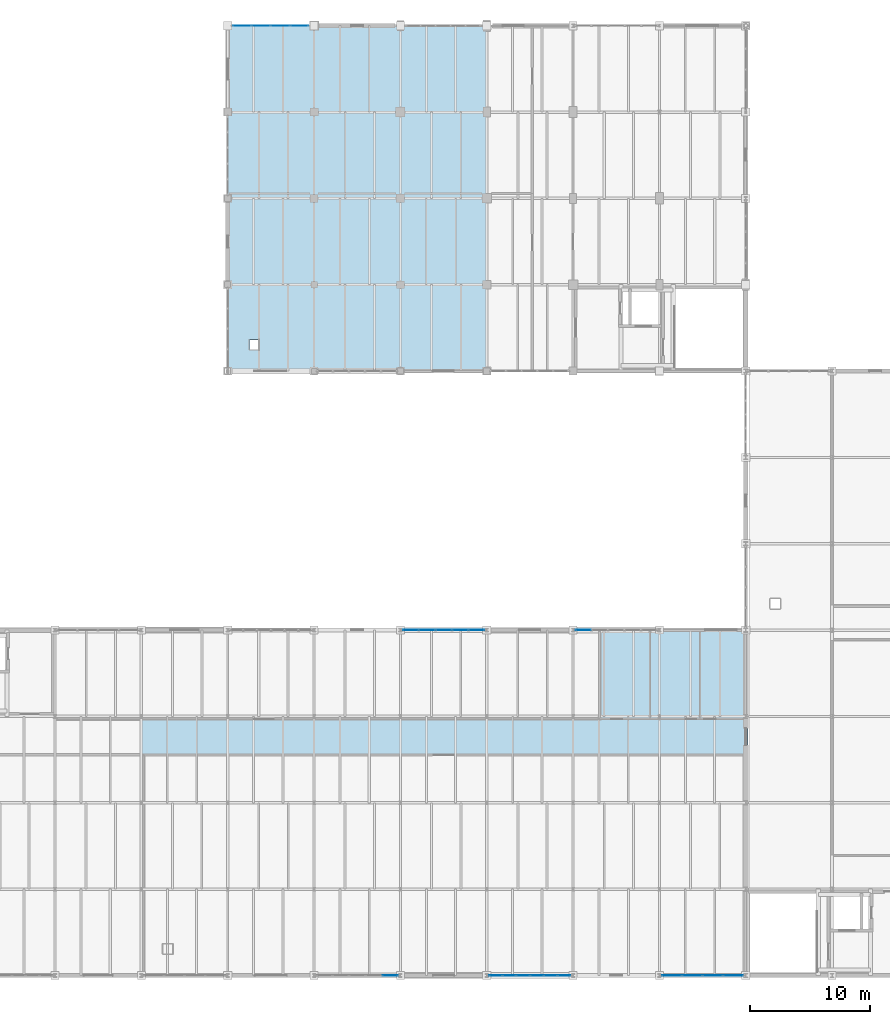
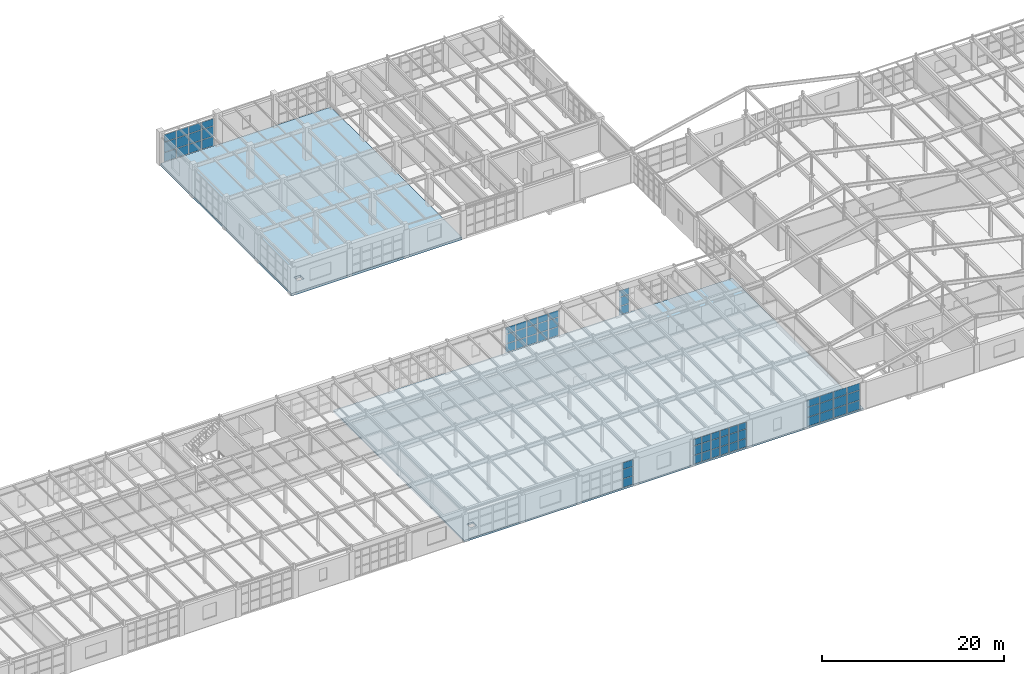
# One storey, part 116 of 137: 63 plates, 2 slabs, 6 elements without a shape of their own.
"""IFC4 building model written with IfcOpenShell, lengths in metres."""

from ifc_helpers import new_model, si_unit, direction, frame, origin, origin_2d, place, context, subcontext, project, spatial, polyline, rectangle, outline, extrude, material, layer, layer_set, type_object, element, aggregate, save


model = new_model("IFC4")

# Units and contexts
model_context = context("Model", 3, precision=1e-05, world=origin(), true_north=direction((0.0, 1.0)))
body_context = subcontext(model_context, "Body", "Model", "MODEL_VIEW")
ifc_project = project(units=[si_unit("LENGTHUNIT", "METRE"), si_unit("AREAUNIT", "SQUARE_METRE"), si_unit("VOLUMEUNIT", "CUBIC_METRE"), si_unit("PLANEANGLEUNIT", "RADIAN"), si_unit("MASSUNIT", "GRAM", prefix="KILO")], contexts=[model_context])

# Site, building, storey
site_placement = place(None, origin())
site = spatial("IfcSite", under=ifc_project, at=site_placement, CompositionType="ELEMENT")
building_placement = place(site_placement, origin())
building = spatial("IfcBuilding", under=site, at=building_placement, Name="Kemerveld Promenade Tramway Depot", CompositionType="ELEMENT")
storey_placement = place(building_placement, frame((0.0, 0.0, 5.39990234375)))
storey = spatial("IfcBuildingStorey", under=building, at=storey_placement, Name="L01", CompositionType="ELEMENT", Elevation=5.39990234375)

# Curtain wall, plates
ifc_material_1 = material(Name="Bronze anodised aluminium and solar glass", Category="aluminium")
ifc_layer_1 = layer(ifc_material_1, 0.199951171875)
ifc_layer_set_1 = layer_set([ifc_layer_1], Name="CW-SYS-04")
curtain_wall_type_1 = type_object("IfcCurtainWallType", Name="CW-SYS-04", PredefinedType="USERDEFINED", material=ifc_layer_set_1)
curtain_wall_1_placement = place(storey_placement, origin())
curtain_wall_1 = element("IfcCurtainWall", 1, at=curtain_wall_1_placement, inside=storey, type_object=curtain_wall_type_1, Name="CW-L01-V4S-01", ObjectType="GLAZED_CURTAIN_WALL", PredefinedType="USERDEFINED")
ifc_material_2 = material(Name="Solar-control laminated double glazing", Category="glass")
ifc_layer_2 = layer(ifc_material_2, 0.031982421875)
ifc_layer_set_2 = layer_set([ifc_layer_2], Name="CW-PNL-04")
plate_type_1 = type_object("IfcPlateType", Name="CW-PNL-04", PredefinedType="CURTAIN_PANEL", material=ifc_layer_set_2)
plate_1_placement = place(storey_placement, frame((157.344970703125, 0.0, 0.06494140625), z_axis=(0.0, 0.0, 1.0), x_axis=(-1.0, 0.0, 0.0)))
plate_1 = element("IfcPlate", 2, at=plate_1_placement, type_object=plate_type_1, Name="CW04 panel 1.1", PredefinedType="CURTAIN_PANEL", context=body_context, shape_type="SweptSolid", body=[
    extrude(rectangle(XDim=1.605712890625, YDim=0.031982421875, at=origin_2d()), origin(), (0.0, 0.0, 1.0), 1.176513671875),
])
plate_2_placement = place(storey_placement, frame((157.344970703125, 0.0, 1.306640625), z_axis=(0.0, 0.0, 1.0), x_axis=(-1.0, 0.0, 0.0)))
plate_2 = element("IfcPlate", 3, at=plate_2_placement, type_object=plate_type_1, Name="CW04 panel 1.2", PredefinedType="CURTAIN_PANEL", context=body_context, shape_type="SweptSolid", body=[
    extrude(rectangle(XDim=1.605712890625, YDim=0.031982421875, at=origin_2d()), origin(), (0.0, 0.0, 1.0), 1.281982421875),
])
plate_3_placement = place(storey_placement, frame((157.344970703125, 0.0, 2.653564453125), z_axis=(0.0, 0.0, 1.0), x_axis=(-1.0, 0.0, 0.0)))
plate_3 = element("IfcPlate", 4, at=plate_3_placement, type_object=plate_type_1, Name="CW04 panel 1.3", PredefinedType="CURTAIN_PANEL", context=body_context, shape_type="SweptSolid", body=[
    extrude(rectangle(XDim=1.605712890625, YDim=0.031982421875, at=origin_2d()), origin(), (0.0, 0.0, 1.0), 0.92138671875),
])
plate_4_placement = place(storey_placement, frame((155.6455078125, 0.0, 0.06494140625), z_axis=(0.0, 0.0, 1.0), x_axis=(-1.0, 0.0, 0.0)))
plate_4 = element("IfcPlate", 5, at=plate_4_placement, type_object=plate_type_1, Name="CW04 panel 2.1", PredefinedType="CURTAIN_PANEL", context=body_context, shape_type="SweptSolid", body=[
    extrude(rectangle(XDim=1.64306640625, YDim=0.031982421875, at=origin_2d()), origin(), (0.0, 0.0, 1.0), 1.176513671875),
])
plate_5_placement = place(storey_placement, frame((155.6455078125, 0.0, 1.306640625), z_axis=(0.0, 0.0, 1.0), x_axis=(-1.0, 0.0, 0.0)))
plate_5 = element("IfcPlate", 6, at=plate_5_placement, type_object=plate_type_1, Name="CW04 panel 2.2", PredefinedType="CURTAIN_PANEL", context=body_context, shape_type="SweptSolid", body=[
    extrude(rectangle(XDim=1.64306640625, YDim=0.031982421875, at=origin_2d()), origin(), (0.0, 0.0, 1.0), 1.281982421875),
])
plate_6_placement = place(storey_placement, frame((155.6455078125, 0.0, 2.653564453125), z_axis=(0.0, 0.0, 1.0), x_axis=(-1.0, 0.0, 0.0)))
plate_6 = element("IfcPlate", 7, at=plate_6_placement, type_object=plate_type_1, Name="CW04 panel 2.3", PredefinedType="CURTAIN_PANEL", context=body_context, shape_type="SweptSolid", body=[
    extrude(rectangle(XDim=1.64306640625, YDim=0.031982421875, at=origin_2d()), origin(), (0.0, 0.0, 1.0), 0.92138671875),
])
plate_7_placement = place(storey_placement, frame((153.92724609375, 0.0, 0.06494140625), z_axis=(0.0, 0.0, 1.0), x_axis=(-1.0, 0.0, 0.0)))
plate_7 = element("IfcPlate", 8, at=plate_7_placement, type_object=plate_type_1, Name="CW04 panel 3.1", PredefinedType="CURTAIN_PANEL", context=body_context, shape_type="SweptSolid", body=[
    extrude(rectangle(XDim=1.64306640625, YDim=0.031982421875, at=origin_2d()), origin(), (0.0, 0.0, 1.0), 1.176513671875),
])
plate_8_placement = place(storey_placement, frame((153.92724609375, 0.0, 1.306640625), z_axis=(0.0, 0.0, 1.0), x_axis=(-1.0, 0.0, 0.0)))
plate_8 = element("IfcPlate", 9, at=plate_8_placement, type_object=plate_type_1, Name="CW04 panel 3.2", PredefinedType="CURTAIN_PANEL", context=body_context, shape_type="SweptSolid", body=[
    extrude(rectangle(XDim=1.64306640625, YDim=0.031982421875, at=origin_2d()), origin(), (0.0, 0.0, 1.0), 1.281982421875),
])
plate_9_placement = place(storey_placement, frame((153.92724609375, 0.0, 2.653564453125), z_axis=(0.0, 0.0, 1.0), x_axis=(-1.0, 0.0, 0.0)))
plate_9 = element("IfcPlate", 10, at=plate_9_placement, type_object=plate_type_1, Name="CW04 panel 3.3", PredefinedType="CURTAIN_PANEL", context=body_context, shape_type="SweptSolid", body=[
    extrude(rectangle(XDim=1.64306640625, YDim=0.031982421875, at=origin_2d()), origin(), (0.0, 0.0, 1.0), 0.92138671875),
])
plate_10_placement = place(storey_placement, frame((152.22802734375, 0.0, 0.06494140625), z_axis=(0.0, 0.0, 1.0), x_axis=(-1.0, 0.0, 0.0)))
plate_10 = element("IfcPlate", 11, at=plate_10_placement, type_object=plate_type_1, Name="CW04 panel 4.1", PredefinedType="CURTAIN_PANEL", context=body_context, shape_type="SweptSolid", body=[
    extrude(rectangle(XDim=1.605712890625, YDim=0.031982421875, at=origin_2d()), origin(), (0.0, 0.0, 1.0), 1.176513671875),
])
plate_11_placement = place(storey_placement, frame((152.22802734375, 0.0, 1.306640625), z_axis=(0.0, 0.0, 1.0), x_axis=(-1.0, 0.0, 0.0)))
plate_11 = element("IfcPlate", 12, at=plate_11_placement, type_object=plate_type_1, Name="CW04 panel 4.2", PredefinedType="CURTAIN_PANEL", context=body_context, shape_type="SweptSolid", body=[
    extrude(rectangle(XDim=1.605712890625, YDim=0.031982421875, at=origin_2d()), origin(), (0.0, 0.0, 1.0), 1.281982421875),
])
plate_12_placement = place(storey_placement, frame((152.22802734375, 0.0, 2.653564453125), z_axis=(0.0, 0.0, 1.0), x_axis=(-1.0, 0.0, 0.0)))
plate_12 = element("IfcPlate", 13, at=plate_12_placement, type_object=plate_type_1, Name="CW04 panel 4.3", PredefinedType="CURTAIN_PANEL", context=body_context, shape_type="SweptSolid", body=[
    extrude(rectangle(XDim=1.605712890625, YDim=0.031982421875, at=origin_2d()), origin(), (0.0, 0.0, 1.0), 0.92138671875),
])
aggregate(curtain_wall_1, [plate_1, plate_2, plate_3, plate_4, plate_5, plate_6, plate_7, plate_8, plate_9, plate_10, plate_11, plate_12])

curtain_wall_2_placement = place(storey_placement, origin())
curtain_wall_2 = element("IfcCurtainWall", 14, at=curtain_wall_2_placement, inside=storey, type_object=curtain_wall_type_1, Name="CW-L01-V3N-01", ObjectType="GLAZED_CURTAIN_WALL", PredefinedType="USERDEFINED")
plate_13_placement = place(storey_placement, frame((116.389892578125, 79.199951171875, 0.06494140625), z_axis=(0.0, 0.0, 1.0), x_axis=(1.0, 0.0, 0.0)))
plate_13 = element("IfcPlate", 15, at=plate_13_placement, type_object=plate_type_1, Name="CW04 panel 1.1", PredefinedType="CURTAIN_PANEL", context=body_context, shape_type="SweptSolid", body=[
    extrude(rectangle(XDim=1.489990234375, YDim=0.031982421875, at=origin_2d()), origin(), (0.0, 0.0, 1.0), 1.215576171875),
])
plate_14_placement = place(storey_placement, frame((116.389892578125, 79.199951171875, 1.345703125), z_axis=(0.0, 0.0, 1.0), x_axis=(1.0, 0.0, 0.0)))
plate_14 = element("IfcPlate", 16, at=plate_14_placement, type_object=plate_type_1, Name="CW04 panel 1.2", PredefinedType="CURTAIN_PANEL", context=body_context, shape_type="SweptSolid", body=[
    extrude(rectangle(XDim=1.489990234375, YDim=0.031982421875, at=origin_2d()), origin(), (0.0, 0.0, 1.0), 1.322021484375),
])
plate_15_placement = place(storey_placement, frame((116.389892578125, 79.199951171875, 2.732421875), z_axis=(0.0, 0.0, 1.0), x_axis=(1.0, 0.0, 0.0)))
plate_15 = element("IfcPlate", 17, at=plate_15_placement, type_object=plate_type_1, Name="CW04 panel 1.3", PredefinedType="CURTAIN_PANEL", context=body_context, shape_type="SweptSolid", body=[
    extrude(rectangle(XDim=1.489990234375, YDim=0.031982421875, at=origin_2d()), origin(), (0.0, 0.0, 1.0), 0.952392578125),
])
plate_16_placement = place(storey_placement, frame((117.9736328125, 79.199951171875, 0.06494140625), z_axis=(0.0, 0.0, 1.0), x_axis=(1.0, 0.0, 0.0)))
plate_16 = element("IfcPlate", 18, at=plate_16_placement, type_object=plate_type_1, Name="CW04 panel 2.1", PredefinedType="CURTAIN_PANEL", context=body_context, shape_type="SweptSolid", body=[
    extrude(rectangle(XDim=1.527587890625, YDim=0.031982421875, at=origin_2d()), origin(), (0.0, 0.0, 1.0), 1.215576171875),
])
plate_17_placement = place(storey_placement, frame((117.9736328125, 79.199951171875, 1.345703125), z_axis=(0.0, 0.0, 1.0), x_axis=(1.0, 0.0, 0.0)))
plate_17 = element("IfcPlate", 19, at=plate_17_placement, type_object=plate_type_1, Name="CW04 panel 2.2", PredefinedType="CURTAIN_PANEL", context=body_context, shape_type="SweptSolid", body=[
    extrude(rectangle(XDim=1.527587890625, YDim=0.031982421875, at=origin_2d()), origin(), (0.0, 0.0, 1.0), 1.322021484375),
])
plate_18_placement = place(storey_placement, frame((117.9736328125, 79.199951171875, 2.732421875), z_axis=(0.0, 0.0, 1.0), x_axis=(1.0, 0.0, 0.0)))
plate_18 = element("IfcPlate", 20, at=plate_18_placement, type_object=plate_type_1, Name="CW04 panel 2.3", PredefinedType="CURTAIN_PANEL", context=body_context, shape_type="SweptSolid", body=[
    extrude(rectangle(XDim=1.527587890625, YDim=0.031982421875, at=origin_2d()), origin(), (0.0, 0.0, 1.0), 0.952392578125),
])
plate_19_placement = place(storey_placement, frame((119.576171875, 79.199951171875, 0.06494140625), z_axis=(0.0, 0.0, 1.0), x_axis=(1.0, 0.0, 0.0)))
plate_19 = element("IfcPlate", 21, at=plate_19_placement, type_object=plate_type_1, Name="CW04 panel 3.1", PredefinedType="CURTAIN_PANEL", context=body_context, shape_type="SweptSolid", body=[
    extrude(rectangle(XDim=1.527587890625, YDim=0.031982421875, at=origin_2d()), origin(), (0.0, 0.0, 1.0), 1.215576171875),
])
plate_20_placement = place(storey_placement, frame((119.576171875, 79.199951171875, 1.345703125), z_axis=(0.0, 0.0, 1.0), x_axis=(1.0, 0.0, 0.0)))
plate_20 = element("IfcPlate", 22, at=plate_20_placement, type_object=plate_type_1, Name="CW04 panel 3.2", PredefinedType="CURTAIN_PANEL", context=body_context, shape_type="SweptSolid", body=[
    extrude(rectangle(XDim=1.527587890625, YDim=0.031982421875, at=origin_2d()), origin(), (0.0, 0.0, 1.0), 1.322021484375),
])
plate_21_placement = place(storey_placement, frame((119.576171875, 79.199951171875, 2.732421875), z_axis=(0.0, 0.0, 1.0), x_axis=(1.0, 0.0, 0.0)))
plate_21 = element("IfcPlate", 23, at=plate_21_placement, type_object=plate_type_1, Name="CW04 panel 3.3", PredefinedType="CURTAIN_PANEL", context=body_context, shape_type="SweptSolid", body=[
    extrude(rectangle(XDim=1.527587890625, YDim=0.031982421875, at=origin_2d()), origin(), (0.0, 0.0, 1.0), 0.952392578125),
])
plate_22_placement = place(storey_placement, frame((121.159912109375, 79.199951171875, 0.06494140625), z_axis=(0.0, 0.0, 1.0), x_axis=(1.0, 0.0, 0.0)))
plate_22 = element("IfcPlate", 24, at=plate_22_placement, type_object=plate_type_1, Name="CW04 panel 4.1", PredefinedType="CURTAIN_PANEL", context=body_context, shape_type="SweptSolid", body=[
    extrude(rectangle(XDim=1.489990234375, YDim=0.031982421875, at=origin_2d()), origin(), (0.0, 0.0, 1.0), 1.215576171875),
])
plate_23_placement = place(storey_placement, frame((121.159912109375, 79.199951171875, 1.345703125), z_axis=(0.0, 0.0, 1.0), x_axis=(1.0, 0.0, 0.0)))
plate_23 = element("IfcPlate", 25, at=plate_23_placement, type_object=plate_type_1, Name="CW04 panel 4.2", PredefinedType="CURTAIN_PANEL", context=body_context, shape_type="SweptSolid", body=[
    extrude(rectangle(XDim=1.489990234375, YDim=0.031982421875, at=origin_2d()), origin(), (0.0, 0.0, 1.0), 1.322021484375),
])
plate_24_placement = place(storey_placement, frame((121.159912109375, 79.199951171875, 2.732421875), z_axis=(0.0, 0.0, 1.0), x_axis=(1.0, 0.0, 0.0)))
plate_24 = element("IfcPlate", 26, at=plate_24_placement, type_object=plate_type_1, Name="CW04 panel 4.3", PredefinedType="CURTAIN_PANEL", context=body_context, shape_type="SweptSolid", body=[
    extrude(rectangle(XDim=1.489990234375, YDim=0.031982421875, at=origin_2d()), origin(), (0.0, 0.0, 1.0), 0.952392578125),
])
aggregate(curtain_wall_2, [plate_13, plate_14, plate_15, plate_16, plate_17, plate_18, plate_19, plate_20, plate_21, plate_22, plate_23, plate_24])

ifc_layer_3 = layer(ifc_material_1, 0.199951171875)
ifc_layer_set_3 = layer_set([ifc_layer_3], Name="CW-SYS-06")
curtain_wall_type_2 = type_object("IfcCurtainWallType", Name="CW-SYS-06", PredefinedType="USERDEFINED", material=ifc_layer_set_3)
curtain_wall_3_placement = place(storey_placement, origin())
curtain_wall_3 = element("IfcCurtainWall", 27, at=curtain_wall_3_placement, inside=storey, type_object=curtain_wall_type_2, Name="CW-L01-V4S-03", ObjectType="GLAZED_CURTAIN_WALL", PredefinedType="USERDEFINED")
ifc_layer_4 = layer(ifc_material_2, 0.02587890625)
ifc_layer_set_4 = layer_set([ifc_layer_4], Name="CW-PNL-06")
plate_type_2 = type_object("IfcPlateType", Name="CW-PNL-06", PredefinedType="CURTAIN_PANEL", material=ifc_layer_set_4)
plate_25_placement = place(storey_placement, frame((143.256103515625, 0.0, 0.065185546875), z_axis=(0.0, 0.0, 1.0), x_axis=(-1.0, 0.0, 0.0)))
plate_25 = element("IfcPlate", 28, at=plate_25_placement, type_object=plate_type_2, Name="CW06 panel 1.1", PredefinedType="CURTAIN_PANEL", context=body_context, shape_type="SweptSolid", body=[
    extrude(rectangle(XDim=1.037353515625, YDim=0.02587890625, at=origin_2d()), origin(), (0.0, 0.0, 1.0), 1.1064453125),
])
plate_26_placement = place(storey_placement, frame((143.256103515625, 0.0, 1.236572265625), z_axis=(0.0, 0.0, 1.0), x_axis=(-1.0, 0.0, 0.0)))
plate_26 = element("IfcPlate", 29, at=plate_26_placement, type_object=plate_type_2, Name="CW06 panel 1.2", PredefinedType="CURTAIN_PANEL", context=body_context, shape_type="SweptSolid", body=[
    extrude(rectangle(XDim=1.037353515625, YDim=0.02587890625, at=origin_2d()), origin(), (0.0, 0.0, 1.0), 1.2080078125),
])
plate_27_placement = place(storey_placement, frame((143.256103515625, 0.0, 2.509765625), z_axis=(0.0, 0.0, 1.0), x_axis=(-1.0, 0.0, 0.0)))
plate_27 = element("IfcPlate", 30, at=plate_27_placement, type_object=plate_type_2, Name="CW06 panel 1.3", PredefinedType="CURTAIN_PANEL", context=body_context, shape_type="SweptSolid", body=[
    extrude(rectangle(XDim=1.037353515625, YDim=0.02587890625, at=origin_2d()), origin(), (0.0, 0.0, 1.0), 0.865478515625),
])
plate_28_placement = place(storey_placement, frame((142.125, 0.0, 0.065185546875), z_axis=(0.0, 0.0, 1.0), x_axis=(-1.0, 0.0, 0.0)))
plate_28 = element("IfcPlate", 31, at=plate_28_placement, type_object=plate_type_2, Name="CW06 panel 2.1", PredefinedType="CURTAIN_PANEL", context=body_context, shape_type="SweptSolid", body=[
    extrude(rectangle(XDim=1.074951171875, YDim=0.02587890625, at=origin_2d()), origin(), (0.0, 0.0, 1.0), 1.1064453125),
])
plate_29_placement = place(storey_placement, frame((142.125, 0.0, 1.236572265625), z_axis=(0.0, 0.0, 1.0), x_axis=(-1.0, 0.0, 0.0)))
plate_29 = element("IfcPlate", 32, at=plate_29_placement, type_object=plate_type_2, Name="CW06 panel 2.2", PredefinedType="CURTAIN_PANEL", context=body_context, shape_type="SweptSolid", body=[
    extrude(rectangle(XDim=1.074951171875, YDim=0.02587890625, at=origin_2d()), origin(), (0.0, 0.0, 1.0), 1.2080078125),
])
plate_30_placement = place(storey_placement, frame((142.125, 0.0, 2.509765625), z_axis=(0.0, 0.0, 1.0), x_axis=(-1.0, 0.0, 0.0)))
plate_30 = element("IfcPlate", 33, at=plate_30_placement, type_object=plate_type_2, Name="CW06 panel 2.3", PredefinedType="CURTAIN_PANEL", context=body_context, shape_type="SweptSolid", body=[
    extrude(rectangle(XDim=1.074951171875, YDim=0.02587890625, at=origin_2d()), origin(), (0.0, 0.0, 1.0), 0.865478515625),
])
plate_31_placement = place(storey_placement, frame((140.97509765625, 0.0, 0.065185546875), z_axis=(0.0, 0.0, 1.0), x_axis=(-1.0, 0.0, 0.0)))
plate_31 = element("IfcPlate", 34, at=plate_31_placement, type_object=plate_type_2, Name="CW06 panel 3.1", PredefinedType="CURTAIN_PANEL", context=body_context, shape_type="SweptSolid", body=[
    extrude(rectangle(XDim=1.074951171875, YDim=0.02587890625, at=origin_2d()), origin(), (0.0, 0.0, 1.0), 1.1064453125),
])
plate_32_placement = place(storey_placement, frame((140.97509765625, 0.0, 1.236572265625), z_axis=(0.0, 0.0, 1.0), x_axis=(-1.0, 0.0, 0.0)))
plate_32 = element("IfcPlate", 35, at=plate_32_placement, type_object=plate_type_2, Name="CW06 panel 3.2", PredefinedType="CURTAIN_PANEL", context=body_context, shape_type="SweptSolid", body=[
    extrude(rectangle(XDim=1.074951171875, YDim=0.02587890625, at=origin_2d()), origin(), (0.0, 0.0, 1.0), 1.2080078125),
])
plate_33_placement = place(storey_placement, frame((140.97509765625, 0.0, 2.509765625), z_axis=(0.0, 0.0, 1.0), x_axis=(-1.0, 0.0, 0.0)))
plate_33 = element("IfcPlate", 36, at=plate_33_placement, type_object=plate_type_2, Name="CW06 panel 3.3", PredefinedType="CURTAIN_PANEL", context=body_context, shape_type="SweptSolid", body=[
    extrude(rectangle(XDim=1.074951171875, YDim=0.02587890625, at=origin_2d()), origin(), (0.0, 0.0, 1.0), 0.865478515625),
])
plate_34_placement = place(storey_placement, frame((139.8251953125, 0.0, 0.065185546875), z_axis=(0.0, 0.0, 1.0), x_axis=(-1.0, 0.0, 0.0)))
plate_34 = element("IfcPlate", 37, at=plate_34_placement, type_object=plate_type_2, Name="CW06 panel 4.1", PredefinedType="CURTAIN_PANEL", context=body_context, shape_type="SweptSolid", body=[
    extrude(rectangle(XDim=1.074951171875, YDim=0.02587890625, at=origin_2d()), origin(), (0.0, 0.0, 1.0), 1.1064453125),
])
plate_35_placement = place(storey_placement, frame((139.8251953125, 0.0, 1.236572265625), z_axis=(0.0, 0.0, 1.0), x_axis=(-1.0, 0.0, 0.0)))
plate_35 = element("IfcPlate", 38, at=plate_35_placement, type_object=plate_type_2, Name="CW06 panel 4.2", PredefinedType="CURTAIN_PANEL", context=body_context, shape_type="SweptSolid", body=[
    extrude(rectangle(XDim=1.074951171875, YDim=0.02587890625, at=origin_2d()), origin(), (0.0, 0.0, 1.0), 1.2080078125),
])
plate_36_placement = place(storey_placement, frame((139.8251953125, 0.0, 2.509765625), z_axis=(0.0, 0.0, 1.0), x_axis=(-1.0, 0.0, 0.0)))
plate_36 = element("IfcPlate", 39, at=plate_36_placement, type_object=plate_type_2, Name="CW06 panel 4.3", PredefinedType="CURTAIN_PANEL", context=body_context, shape_type="SweptSolid", body=[
    extrude(rectangle(XDim=1.074951171875, YDim=0.02587890625, at=origin_2d()), origin(), (0.0, 0.0, 1.0), 0.865478515625),
])
plate_37_placement = place(storey_placement, frame((138.675048828125, 0.0, 0.065185546875), z_axis=(0.0, 0.0, 1.0), x_axis=(-1.0, 0.0, 0.0)))
plate_37 = element("IfcPlate", 40, at=plate_37_placement, type_object=plate_type_2, Name="CW06 panel 5.1", PredefinedType="CURTAIN_PANEL", context=body_context, shape_type="SweptSolid", body=[
    extrude(rectangle(XDim=1.074951171875, YDim=0.02587890625, at=origin_2d()), origin(), (0.0, 0.0, 1.0), 1.1064453125),
])
plate_38_placement = place(storey_placement, frame((138.675048828125, 0.0, 1.236572265625), z_axis=(0.0, 0.0, 1.0), x_axis=(-1.0, 0.0, 0.0)))
plate_38 = element("IfcPlate", 41, at=plate_38_placement, type_object=plate_type_2, Name="CW06 panel 5.2", PredefinedType="CURTAIN_PANEL", context=body_context, shape_type="SweptSolid", body=[
    extrude(rectangle(XDim=1.074951171875, YDim=0.02587890625, at=origin_2d()), origin(), (0.0, 0.0, 1.0), 1.2080078125),
])
plate_39_placement = place(storey_placement, frame((138.675048828125, 0.0, 2.509765625), z_axis=(0.0, 0.0, 1.0), x_axis=(-1.0, 0.0, 0.0)))
plate_39 = element("IfcPlate", 42, at=plate_39_placement, type_object=plate_type_2, Name="CW06 panel 5.3", PredefinedType="CURTAIN_PANEL", context=body_context, shape_type="SweptSolid", body=[
    extrude(rectangle(XDim=1.074951171875, YDim=0.02587890625, at=origin_2d()), origin(), (0.0, 0.0, 1.0), 0.865478515625),
])
plate_40_placement = place(storey_placement, frame((137.5439453125, 0.0, 0.065185546875), z_axis=(0.0, 0.0, 1.0), x_axis=(-1.0, 0.0, 0.0)))
plate_40 = element("IfcPlate", 43, at=plate_40_placement, type_object=plate_type_2, Name="CW06 panel 6.1", PredefinedType="CURTAIN_PANEL", context=body_context, shape_type="SweptSolid", body=[
    extrude(rectangle(XDim=1.037353515625, YDim=0.02587890625, at=origin_2d()), origin(), (0.0, 0.0, 1.0), 1.1064453125),
])
plate_41_placement = place(storey_placement, frame((137.5439453125, 0.0, 1.236572265625), z_axis=(0.0, 0.0, 1.0), x_axis=(-1.0, 0.0, 0.0)))
plate_41 = element("IfcPlate", 44, at=plate_41_placement, type_object=plate_type_2, Name="CW06 panel 6.2", PredefinedType="CURTAIN_PANEL", context=body_context, shape_type="SweptSolid", body=[
    extrude(rectangle(XDim=1.037353515625, YDim=0.02587890625, at=origin_2d()), origin(), (0.0, 0.0, 1.0), 1.2080078125),
])
plate_42_placement = place(storey_placement, frame((137.5439453125, 0.0, 2.509765625), z_axis=(0.0, 0.0, 1.0), x_axis=(-1.0, 0.0, 0.0)))
plate_42 = element("IfcPlate", 45, at=plate_42_placement, type_object=plate_type_2, Name="CW06 panel 6.3", PredefinedType="CURTAIN_PANEL", context=body_context, shape_type="SweptSolid", body=[
    extrude(rectangle(XDim=1.037353515625, YDim=0.02587890625, at=origin_2d()), origin(), (0.0, 0.0, 1.0), 0.865478515625),
])
aggregate(curtain_wall_3, [plate_25, plate_26, plate_27, plate_28, plate_29, plate_30, plate_31, plate_32, plate_33, plate_34, plate_35, plate_36, plate_37, plate_38, plate_39, plate_40, plate_41, plate_42])

ifc_layer_5 = layer(ifc_material_1, 0.199951171875)
ifc_layer_set_5 = layer_set([ifc_layer_5], Name="CW-SYS-14")
curtain_wall_type_3 = type_object("IfcCurtainWallType", Name="CW-SYS-14", PredefinedType="USERDEFINED", material=ifc_layer_set_5)
curtain_wall_4_placement = place(storey_placement, origin())
curtain_wall_4 = element("IfcCurtainWall", 46, at=curtain_wall_4_placement, inside=storey, type_object=curtain_wall_type_3, Name="CW-L01-V4N-11", ObjectType="GLAZED_CURTAIN_WALL", PredefinedType="USERDEFINED")
plate_43_placement = place(storey_placement, frame((130.458740234375, 28.800048828125, 0.065185546875), z_axis=(0.0, 0.0, 1.0), x_axis=(1.0, 0.0, 0.0)))
plate_43 = element("IfcPlate", 47, at=plate_43_placement, type_object=plate_type_2, Name="CW14 panel 1.1", PredefinedType="CURTAIN_PANEL", context=body_context, shape_type="SweptSolid", body=[
    extrude(rectangle(XDim=1.267578125, YDim=0.02587890625, at=origin_2d()), origin(), (0.0, 0.0, 1.0), 1.12451171875),
])
plate_44_placement = place(storey_placement, frame((130.458740234375, 28.800048828125, 1.254638671875), z_axis=(0.0, 0.0, 1.0), x_axis=(1.0, 0.0, 0.0)))
plate_44 = element("IfcPlate", 48, at=plate_44_placement, type_object=plate_type_2, Name="CW14 panel 1.2", PredefinedType="CURTAIN_PANEL", context=body_context, shape_type="SweptSolid", body=[
    extrude(rectangle(XDim=1.267578125, YDim=0.02587890625, at=origin_2d()), origin(), (0.0, 0.0, 1.0), 1.22607421875),
])
plate_45_placement = place(storey_placement, frame((130.458740234375, 28.800048828125, 2.545654296875), z_axis=(0.0, 0.0, 1.0), x_axis=(1.0, 0.0, 0.0)))
plate_45 = element("IfcPlate", 49, at=plate_45_placement, type_object=plate_type_2, Name="CW14 panel 1.3", PredefinedType="CURTAIN_PANEL", context=body_context, shape_type="SweptSolid", body=[
    extrude(rectangle(XDim=1.267578125, YDim=0.02587890625, at=origin_2d()), origin(), (0.0, 0.0, 1.0), 0.87939453125),
])
plate_46_placement = place(storey_placement, frame((131.820068359375, 28.800048828125, 0.065185546875), z_axis=(0.0, 0.0, 1.0), x_axis=(1.0, 0.0, 0.0)))
plate_46 = element("IfcPlate", 50, at=plate_46_placement, type_object=plate_type_2, Name="CW14 panel 2.1", PredefinedType="CURTAIN_PANEL", context=body_context, shape_type="SweptSolid", body=[
    extrude(rectangle(XDim=1.304931640625, YDim=0.02587890625, at=origin_2d()), origin(), (0.0, 0.0, 1.0), 1.12451171875),
])
plate_47_placement = place(storey_placement, frame((131.820068359375, 28.800048828125, 1.254638671875), z_axis=(0.0, 0.0, 1.0), x_axis=(1.0, 0.0, 0.0)))
plate_47 = element("IfcPlate", 51, at=plate_47_placement, type_object=plate_type_2, Name="CW14 panel 2.2", PredefinedType="CURTAIN_PANEL", context=body_context, shape_type="SweptSolid", body=[
    extrude(rectangle(XDim=1.304931640625, YDim=0.02587890625, at=origin_2d()), origin(), (0.0, 0.0, 1.0), 1.22607421875),
])
plate_48_placement = place(storey_placement, frame((131.820068359375, 28.800048828125, 2.545654296875), z_axis=(0.0, 0.0, 1.0), x_axis=(1.0, 0.0, 0.0)))
plate_48 = element("IfcPlate", 52, at=plate_48_placement, type_object=plate_type_2, Name="CW14 panel 2.3", PredefinedType="CURTAIN_PANEL", context=body_context, shape_type="SweptSolid", body=[
    extrude(rectangle(XDim=1.304931640625, YDim=0.02587890625, at=origin_2d()), origin(), (0.0, 0.0, 1.0), 0.87939453125),
])
plate_49_placement = place(storey_placement, frame((133.199951171875, 28.800048828125, 0.065185546875), z_axis=(0.0, 0.0, 1.0), x_axis=(1.0, 0.0, 0.0)))
plate_49 = element("IfcPlate", 53, at=plate_49_placement, type_object=plate_type_2, Name="CW14 panel 3.1", PredefinedType="CURTAIN_PANEL", context=body_context, shape_type="SweptSolid", body=[
    extrude(rectangle(XDim=1.304931640625, YDim=0.02587890625, at=origin_2d()), origin(), (0.0, 0.0, 1.0), 1.12451171875),
])
plate_50_placement = place(storey_placement, frame((133.199951171875, 28.800048828125, 1.254638671875), z_axis=(0.0, 0.0, 1.0), x_axis=(1.0, 0.0, 0.0)))
plate_50 = element("IfcPlate", 54, at=plate_50_placement, type_object=plate_type_2, Name="CW14 panel 3.2", PredefinedType="CURTAIN_PANEL", context=body_context, shape_type="SweptSolid", body=[
    extrude(rectangle(XDim=1.304931640625, YDim=0.02587890625, at=origin_2d()), origin(), (0.0, 0.0, 1.0), 1.22607421875),
])
plate_51_placement = place(storey_placement, frame((133.199951171875, 28.800048828125, 2.545654296875), z_axis=(0.0, 0.0, 1.0), x_axis=(1.0, 0.0, 0.0)))
plate_51 = element("IfcPlate", 55, at=plate_51_placement, type_object=plate_type_2, Name="CW14 panel 3.3", PredefinedType="CURTAIN_PANEL", context=body_context, shape_type="SweptSolid", body=[
    extrude(rectangle(XDim=1.304931640625, YDim=0.02587890625, at=origin_2d()), origin(), (0.0, 0.0, 1.0), 0.87939453125),
])
plate_52_placement = place(storey_placement, frame((134.580078125, 28.800048828125, 0.065185546875), z_axis=(0.0, 0.0, 1.0), x_axis=(1.0, 0.0, 0.0)))
plate_52 = element("IfcPlate", 56, at=plate_52_placement, type_object=plate_type_2, Name="CW14 panel 4.1", PredefinedType="CURTAIN_PANEL", context=body_context, shape_type="SweptSolid", body=[
    extrude(rectangle(XDim=1.304931640625, YDim=0.02587890625, at=origin_2d()), origin(), (0.0, 0.0, 1.0), 1.12451171875),
])
plate_53_placement = place(storey_placement, frame((134.580078125, 28.800048828125, 1.254638671875), z_axis=(0.0, 0.0, 1.0), x_axis=(1.0, 0.0, 0.0)))
plate_53 = element("IfcPlate", 57, at=plate_53_placement, type_object=plate_type_2, Name="CW14 panel 4.2", PredefinedType="CURTAIN_PANEL", context=body_context, shape_type="SweptSolid", body=[
    extrude(rectangle(XDim=1.304931640625, YDim=0.02587890625, at=origin_2d()), origin(), (0.0, 0.0, 1.0), 1.22607421875),
])
plate_54_placement = place(storey_placement, frame((134.580078125, 28.800048828125, 2.545654296875), z_axis=(0.0, 0.0, 1.0), x_axis=(1.0, 0.0, 0.0)))
plate_54 = element("IfcPlate", 58, at=plate_54_placement, type_object=plate_type_2, Name="CW14 panel 4.3", PredefinedType="CURTAIN_PANEL", context=body_context, shape_type="SweptSolid", body=[
    extrude(rectangle(XDim=1.304931640625, YDim=0.02587890625, at=origin_2d()), origin(), (0.0, 0.0, 1.0), 0.87939453125),
])
plate_55_placement = place(storey_placement, frame((135.941162109375, 28.800048828125, 0.065185546875), z_axis=(0.0, 0.0, 1.0), x_axis=(1.0, 0.0, 0.0)))
plate_55 = element("IfcPlate", 59, at=plate_55_placement, type_object=plate_type_2, Name="CW14 panel 5.1", PredefinedType="CURTAIN_PANEL", context=body_context, shape_type="SweptSolid", body=[
    extrude(rectangle(XDim=1.267578125, YDim=0.02587890625, at=origin_2d()), origin(), (0.0, 0.0, 1.0), 1.12451171875),
])
plate_56_placement = place(storey_placement, frame((135.941162109375, 28.800048828125, 1.254638671875), z_axis=(0.0, 0.0, 1.0), x_axis=(1.0, 0.0, 0.0)))
plate_56 = element("IfcPlate", 60, at=plate_56_placement, type_object=plate_type_2, Name="CW14 panel 5.2", PredefinedType="CURTAIN_PANEL", context=body_context, shape_type="SweptSolid", body=[
    extrude(rectangle(XDim=1.267578125, YDim=0.02587890625, at=origin_2d()), origin(), (0.0, 0.0, 1.0), 1.22607421875),
])
plate_57_placement = place(storey_placement, frame((135.941162109375, 28.800048828125, 2.545654296875), z_axis=(0.0, 0.0, 1.0), x_axis=(1.0, 0.0, 0.0)))
plate_57 = element("IfcPlate", 61, at=plate_57_placement, type_object=plate_type_2, Name="CW14 panel 5.3", PredefinedType="CURTAIN_PANEL", context=body_context, shape_type="SweptSolid", body=[
    extrude(rectangle(XDim=1.267578125, YDim=0.02587890625, at=origin_2d()), origin(), (0.0, 0.0, 1.0), 0.87939453125),
])
aggregate(curtain_wall_4, [plate_43, plate_44, plate_45, plate_46, plate_47, plate_48, plate_49, plate_50, plate_51, plate_52, plate_53, plate_54, plate_55, plate_56, plate_57])

ifc_layer_6 = layer(ifc_material_1, 0.199951171875)
ifc_layer_set_6 = layer_set([ifc_layer_6], Name="CW-SYS-08")
curtain_wall_type_4 = type_object("IfcCurtainWallType", Name="CW-SYS-08", PredefinedType="USERDEFINED", material=ifc_layer_set_6)
curtain_wall_5_placement = place(storey_placement, origin())
curtain_wall_5 = element("IfcCurtainWall", 62, at=curtain_wall_5_placement, inside=storey, type_object=curtain_wall_type_4, Name="CW-L01-V4S-05", ObjectType="GLAZED_CURTAIN_WALL", PredefinedType="USERDEFINED")
ifc_layer_7 = layer(ifc_material_2, 0.028076171875)
ifc_layer_set_7 = layer_set([ifc_layer_7], Name="CW-PNL-08")
plate_type_3 = type_object("IfcPlateType", Name="CW-PNL-08", PredefinedType="CURTAIN_PANEL", material=ifc_layer_set_7)
plate_58_placement = place(storey_placement, frame((128.7412109375, 0.0, 0.065185546875), z_axis=(0.0, 0.0, 1.0), x_axis=(-1.0, 0.0, 0.0)))
plate_58 = element("IfcPlate", 63, at=plate_58_placement, type_object=plate_type_3, Name="CW08 panel 1.1", PredefinedType="CURTAIN_PANEL", context=body_context, shape_type="SweptSolid", body=[
    extrude(rectangle(XDim=1.267333984375, YDim=0.028076171875, at=origin_2d()), origin(), (0.0, 0.0, 1.0), 1.1064453125),
])
plate_59_placement = place(storey_placement, frame((128.7412109375, 0.0, 1.236572265625), z_axis=(0.0, 0.0, 1.0), x_axis=(-1.0, 0.0, 0.0)))
plate_59 = element("IfcPlate", 64, at=plate_59_placement, type_object=plate_type_3, Name="CW08 panel 1.2", PredefinedType="CURTAIN_PANEL", context=body_context, shape_type="SweptSolid", body=[
    extrude(rectangle(XDim=1.267333984375, YDim=0.028076171875, at=origin_2d()), origin(), (0.0, 0.0, 1.0), 1.2080078125),
])
plate_60_placement = place(storey_placement, frame((128.7412109375, 0.0, 2.509765625), z_axis=(0.0, 0.0, 1.0), x_axis=(-1.0, 0.0, 0.0)))
plate_60 = element("IfcPlate", 65, at=plate_60_placement, type_object=plate_type_3, Name="CW08 panel 1.3", PredefinedType="CURTAIN_PANEL", context=body_context, shape_type="SweptSolid", body=[
    extrude(rectangle(XDim=1.267333984375, YDim=0.028076171875, at=origin_2d()), origin(), (0.0, 0.0, 1.0), 0.865478515625),
])
aggregate(curtain_wall_5, [plate_58, plate_59, plate_60])

ifc_layer_8 = layer(ifc_material_1, 0.199951171875)
ifc_layer_set_8 = layer_set([ifc_layer_8], Name="CW-SYS-02")
curtain_wall_type_5 = type_object("IfcCurtainWallType", Name="CW-SYS-02", PredefinedType="USERDEFINED", material=ifc_layer_set_8)
curtain_wall_6_placement = place(storey_placement, origin())
curtain_wall_6 = element("IfcCurtainWall", 66, at=curtain_wall_6_placement, inside=storey, type_object=curtain_wall_type_5, Name="CW-L01-V4N-13", ObjectType="GLAZED_CURTAIN_WALL", PredefinedType="USERDEFINED")
plate_61_placement = place(storey_placement, frame((144.85888671875, 28.800048828125, 0.06494140625), z_axis=(0.0, 0.0, 1.0), x_axis=(1.0, 0.0, 0.0)))
plate_61 = element("IfcPlate", 67, at=plate_61_placement, type_object=plate_type_3, Name="CW02 panel 1.1", PredefinedType="CURTAIN_PANEL", context=body_context, shape_type="SweptSolid", body=[
    extrude(rectangle(XDim=1.267333984375, YDim=0.028076171875, at=origin_2d()), origin(), (0.0, 0.0, 1.0), 1.089599609375),
])
plate_62_placement = place(storey_placement, frame((144.85888671875, 28.800048828125, 1.2197265625), z_axis=(0.0, 0.0, 1.0), x_axis=(1.0, 0.0, 0.0)))
plate_62 = element("IfcPlate", 68, at=plate_62_placement, type_object=plate_type_3, Name="CW02 panel 1.2", PredefinedType="CURTAIN_PANEL", context=body_context, shape_type="SweptSolid", body=[
    extrude(rectangle(XDim=1.267333984375, YDim=0.028076171875, at=origin_2d()), origin(), (0.0, 0.0, 1.0), 1.18896484375),
])
plate_63_placement = place(storey_placement, frame((144.85888671875, 28.800048828125, 2.4736328125), z_axis=(0.0, 0.0, 1.0), x_axis=(1.0, 0.0, 0.0)))
plate_63 = element("IfcPlate", 69, at=plate_63_placement, type_object=plate_type_3, Name="CW02 panel 1.3", PredefinedType="CURTAIN_PANEL", context=body_context, shape_type="SweptSolid", body=[
    extrude(rectangle(XDim=1.267333984375, YDim=0.028076171875, at=origin_2d()), origin(), (0.0, 0.0, 1.0), 0.8515625),
])
aggregate(curtain_wall_6, [plate_61, plate_62, plate_63])

# Slabs
ifc_material_3 = material(Name="Concrete C35/45", Category="concrete")
ifc_layer_9 = layer(ifc_material_3, 0.22509765625)
ifc_layer_set_9 = layer_set([ifc_layer_9], Name="SL-FL03")
slab_type_1 = type_object("IfcSlabType", Name="SL-FL03", PredefinedType="FLOOR", material=ifc_layer_set_9)
slab_1_placement = place(storey_placement, frame((0.0, 0.0, -0.224853515625)))
element("IfcSlab", 70, at=slab_1_placement, inside=storey, type_object=slab_type_1, Name="SLB-L01-V4B", PredefinedType="FLOOR", context=body_context, shape_type="SweptSolid", body=[
    extrude(outline(polyline([(108.0, 0.0), (158.60009765625, 0.0), (158.60009765625, 28.800048828125), (108.0, 28.800048828125), (108.0, 0.0)]), holes=[polyline([(109.800048828125, 1.800048828125), (110.60009765625, 1.800048828125), (110.60009765625, 2.60009765625), (109.800048828125, 2.60009765625), (109.800048828125, 1.800048828125)])]), origin(), (0.0, 0.0, 1.0), 0.224853515625),
])
ifc_material_4 = material(Name="Concrete C40/50", Category="concrete")
ifc_layer_10 = layer(ifc_material_4, 0.320068359375)
ifc_layer_set_10 = layer_set([ifc_layer_10], Name="SL-FL05")
slab_type_2 = type_object("IfcSlabType", Name="SL-FL05", PredefinedType="FLOOR", material=ifc_layer_set_10)
slab_2_placement = place(storey_placement, frame((0.0, 0.0, -0.31982421875)))
element("IfcSlab", 71, at=slab_2_placement, inside=storey, type_object=slab_type_2, Name="SLB-L01-V3A", PredefinedType="FLOOR", context=body_context, shape_type="SweptSolid", body=[
    extrude(outline(polyline([(115.199951171875, 50.39990234375), (136.800048828125, 50.39990234375), (136.800048828125, 79.199951171875), (115.199951171875, 79.199951171875), (115.199951171875, 50.39990234375)]), holes=[polyline([(117.0, 52.199951171875), (117.800048828125, 52.199951171875), (117.800048828125, 53.0), (117.0, 53.0), (117.0, 52.199951171875)])]), origin(), (0.0, 0.0, 1.0), 0.31982421875),
])

save(model, "model.ifc")
